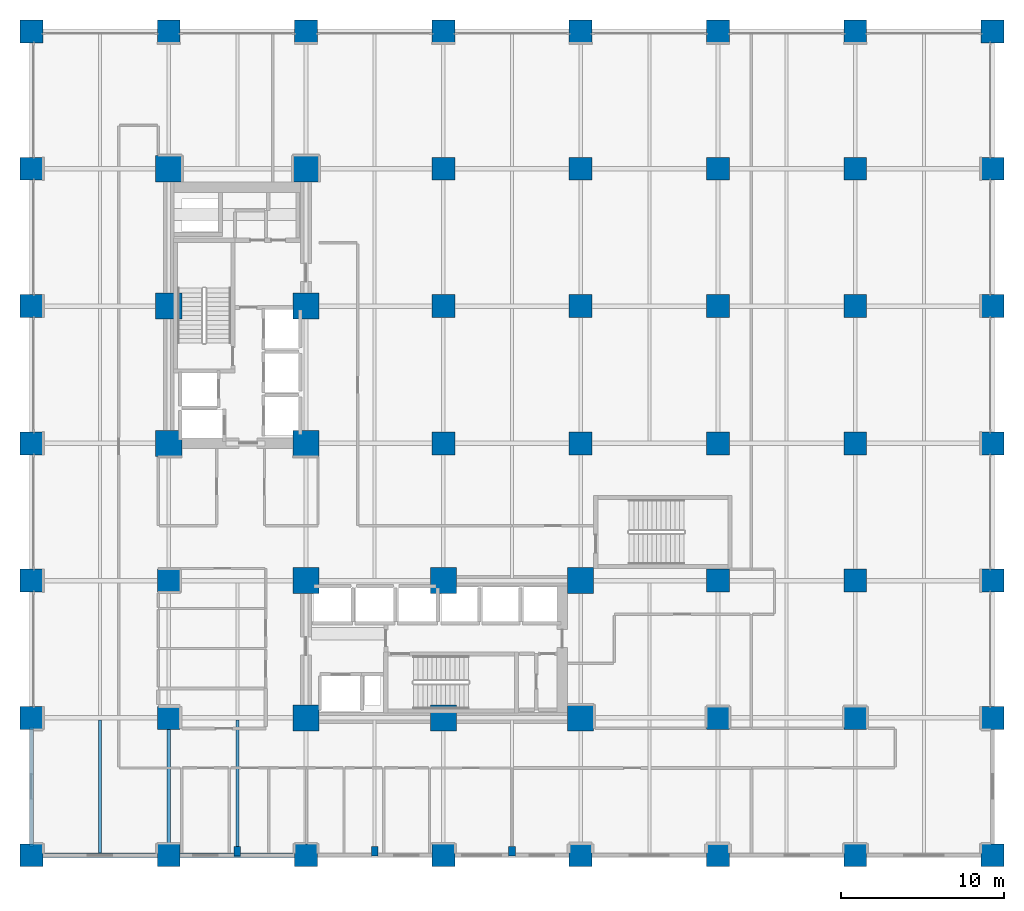
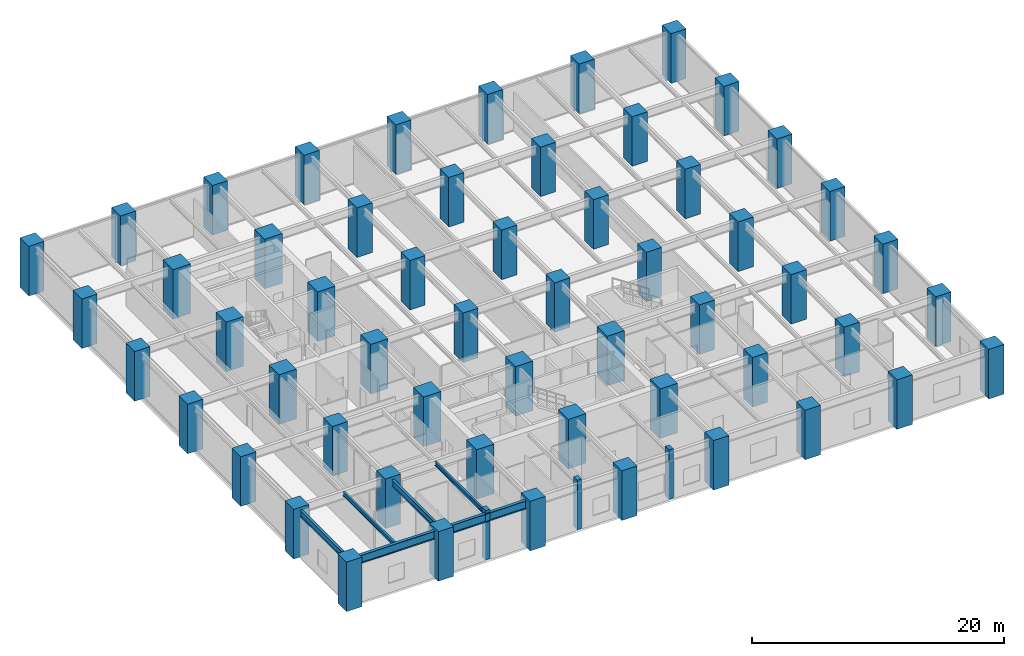
# One storey, part 1 of 24: 59 columns, 6 beams.
"""IFC4 building model written with IfcOpenShell, lengths in metres."""

from ifc_helpers import new_model, si_unit, direction, frame, origin, origin_2d, place, context, subcontext, project, spatial, rectangle, i_section, extrude, material, material_profile, profile_set, type_object, element, save


model = new_model("IFC4")

# Units and contexts
model_context = context("Model", 3, precision=1e-05, world=origin(), true_north=direction((0.0, 1.0)))
body_context = subcontext(model_context, "Body", "Model", "MODEL_VIEW")
ifc_project = project(units=[si_unit("LENGTHUNIT", "METRE"), si_unit("AREAUNIT", "SQUARE_METRE"), si_unit("VOLUMEUNIT", "CUBIC_METRE"), si_unit("PLANEANGLEUNIT", "RADIAN"), si_unit("MASSUNIT", "GRAM", prefix="KILO")], contexts=[model_context])

# Site, building, storey
site_placement = place(None, origin())
site = spatial("IfcSite", under=ifc_project, at=site_placement, CompositionType="ELEMENT")
building_placement = place(site_placement, origin())
building = spatial("IfcBuilding", under=site, at=building_placement, Name="Nerrivon Quay Data Exchange", CompositionType="ELEMENT")
storey_placement = place(building_placement, frame((0.0, 0.0, 10.199951171875)))
storey = spatial("IfcBuildingStorey", under=building, at=storey_placement, Name="L02", CompositionType="ELEMENT", Elevation=10.199951171875)

# Columns
ifc_material_1 = material(Name="Concrete N80 (80 MPa)", Category="concrete")
ifc_material_profile_1 = material_profile(ifc_material_1, rectangle(XDim=1.60009765625, YDim=1.60009765625, at=origin_2d()), Name="RC-COL-1600x1600")
ifc_profile_set_1 = profile_set([ifc_material_profile_1], Name="Concrete N80 (80 MPa)")
column_type_1 = type_object("IfcColumnType", Name="COL-C1-1600", PredefinedType="COLUMN", material=ifc_profile_set_1)
for number, where, z_axis, x_axis, name in (
    (1, (8.39990234375, 25.199951171875, 0.0), (0.0, 0.0, 1.0), (1.0, 0.0, 0.0), "L02 Column (8.4,25.2)"),
    (2, (8.39990234375, 33.60009765625, 0.0), (0.0, 0.0, 1.0), (1.0, 0.0, 0.0), "L02 Column (8.4,33.6)"),
    (3, (8.39990234375, 42.0, 0.0), (0.0, 0.0, 1.0), (1.0, 0.0, 0.0), "L02 Column (8.4,42.0)"),
    (4, (16.800048828125, 8.39990234375, 0.0), (0.0, 0.0, 1.0), (1.0, 0.0, 0.0), "L02 Column (16.8,8.4)"),
    (5, (16.800048828125, 16.800048828125, 0.0), (0.0, 0.0, 1.0), (1.0, 0.0, 0.0), "L02 Column (16.8,16.8)"),
    (6, (16.800048828125, 25.199951171875, 0.0), (0.0, 0.0, 1.0), (1.0, 0.0, 0.0), "L02 Column (16.8,25.2)"),
    (7, (16.800048828125, 33.60009765625, 0.0), (0.0, 0.0, 1.0), (1.0, 0.0, 0.0), "L02 Column (16.8,33.6)"),
    (8, (16.800048828125, 42.0, 0.0), (0.0, 0.0, 1.0), (1.0, 0.0, 0.0), "L02 Column (16.8,42.0)"),
    (9, (25.199951171875, 8.39990234375, 0.0), (0.0, 0.0, 1.0), (1.0, 0.0, 0.0), "L02 Column (25.2,8.4)"),
    (10, (25.199951171875, 16.800048828125, 0.0), (0.0, 0.0, 1.0), (1.0, 0.0, 0.0), "L02 Column (25.2,16.8)"),
    (11, (33.60009765625, 8.39990234375, 0.0), (0.0, 0.0, 1.0), (1.0, 0.0, 0.0), "L02 Column (33.6,8.4)"),
    (12, (33.60009765625, 16.800048828125, 0.0), (0.0, 0.0, 1.0), (1.0, 0.0, 0.0), "L02 Column (33.6,16.8)"),
):
    element("IfcColumn", number, at=place(storey_placement, frame(where, z_axis=z_axis, x_axis=x_axis)), inside=storey, type_object=column_type_1, Name=name, PredefinedType="COLUMN", context=body_context, shape_type="SweptSolid", body=[
        extrude(rectangle(XDim=1.60009765625, YDim=1.60009765625, at=origin_2d()), origin(), (0.0, 0.0, 1.0), 4.800048828125),
    ])
ifc_material_profile_2 = material_profile(ifc_material_1, rectangle(XDim=1.39990234375, YDim=1.39990234375, at=origin_2d()), Name="RC-COL-1400x1400")
ifc_profile_set_2 = profile_set([ifc_material_profile_2], Name="Concrete N80 (80 MPa)")
column_type_2 = type_object("IfcColumnType", Name="COL-C2-1400", PredefinedType="COLUMN", material=ifc_profile_set_2)
for number, where, z_axis, x_axis, name in (
    (13, (0.0, 0.0, 0.0), (0.0, 0.0, 1.0), (1.0, 0.0, 0.0), "L02 Column (0.0,0.0)"),
    (14, (0.0, 8.39990234375, 0.0), (0.0, 0.0, 1.0), (1.0, 0.0, 0.0), "L02 Column (0.0,8.4)"),
    (15, (0.0, 16.800048828125, 0.0), (0.0, 0.0, 1.0), (1.0, 0.0, 0.0), "L02 Column (0.0,16.8)"),
    (16, (0.0, 25.199951171875, 0.0), (0.0, 0.0, 1.0), (1.0, 0.0, 0.0), "L02 Column (0.0,25.2)"),
    (17, (0.0, 33.60009765625, 0.0), (0.0, 0.0, 1.0), (1.0, 0.0, 0.0), "L02 Column (0.0,33.6)"),
    (18, (0.0, 42.0, 0.0), (0.0, 0.0, 1.0), (1.0, 0.0, 0.0), "L02 Column (0.0,42.0)"),
    (19, (0.0, 50.39990234375, 0.0), (0.0, 0.0, 1.0), (1.0, 0.0, 0.0), "L02 Column (0.0,50.4)"),
    (20, (8.39990234375, 0.0, 0.0), (0.0, 0.0, 1.0), (1.0, 0.0, 0.0), "L02 Column (8.4,0.0)"),
    (21, (8.39990234375, 8.39990234375, 0.0), (0.0, 0.0, 1.0), (1.0, 0.0, 0.0), "L02 Column (8.4,8.4)"),
    (22, (8.39990234375, 16.800048828125, 0.0), (0.0, 0.0, 1.0), (1.0, 0.0, 0.0), "L02 Column (8.4,16.8)"),
    (23, (8.39990234375, 50.39990234375, 0.0), (0.0, 0.0, 1.0), (1.0, 0.0, 0.0), "L02 Column (8.4,50.4)"),
    (24, (16.800048828125, 0.0, 0.0), (0.0, 0.0, 1.0), (1.0, 0.0, 0.0), "L02 Column (16.8,0.0)"),
    (25, (16.800048828125, 50.39990234375, 0.0), (0.0, 0.0, 1.0), (1.0, 0.0, 0.0), "L02 Column (16.8,50.4)"),
    (26, (25.199951171875, 0.0, 0.0), (0.0, 0.0, 1.0), (1.0, 0.0, 0.0), "L02 Column (25.2,0.0)"),
    (27, (25.199951171875, 25.199951171875, 0.0), (0.0, 0.0, 1.0), (1.0, 0.0, 0.0), "L02 Column (25.2,25.2)"),
    (28, (25.199951171875, 33.60009765625, 0.0), (0.0, 0.0, 1.0), (1.0, 0.0, 0.0), "L02 Column (25.2,33.6)"),
    (29, (25.199951171875, 42.0, 0.0), (0.0, 0.0, 1.0), (1.0, 0.0, 0.0), "L02 Column (25.2,42.0)"),
    (30, (25.199951171875, 50.39990234375, 0.0), (0.0, 0.0, 1.0), (1.0, 0.0, 0.0), "L02 Column (25.2,50.4)"),
    (31, (33.60009765625, 0.0, 0.0), (0.0, 0.0, 1.0), (1.0, 0.0, 0.0), "L02 Column (33.6,0.0)"),
    (32, (33.60009765625, 25.199951171875, 0.0), (0.0, 0.0, 1.0), (1.0, 0.0, 0.0), "L02 Column (33.6,25.2)"),
    (33, (33.60009765625, 33.60009765625, 0.0), (0.0, 0.0, 1.0), (1.0, 0.0, 0.0), "L02 Column (33.6,33.6)"),
    (34, (33.60009765625, 42.0, 0.0), (0.0, 0.0, 1.0), (1.0, 0.0, 0.0), "L02 Column (33.6,42.0)"),
    (35, (33.60009765625, 50.39990234375, 0.0), (0.0, 0.0, 1.0), (1.0, 0.0, 0.0), "L02 Column (33.6,50.4)"),
    (36, (42.0, 0.0, 0.0), (0.0, 0.0, 1.0), (1.0, 0.0, 0.0), "L02 Column (42.0,0.0)"),
    (37, (42.0, 8.39990234375, 0.0), (0.0, 0.0, 1.0), (1.0, 0.0, 0.0), "L02 Column (42.0,8.4)"),
    (38, (42.0, 16.800048828125, 0.0), (0.0, 0.0, 1.0), (1.0, 0.0, 0.0), "L02 Column (42.0,16.8)"),
    (39, (42.0, 25.199951171875, 0.0), (0.0, 0.0, 1.0), (1.0, 0.0, 0.0), "L02 Column (42.0,25.2)"),
    (40, (42.0, 33.60009765625, 0.0), (0.0, 0.0, 1.0), (1.0, 0.0, 0.0), "L02 Column (42.0,33.6)"),
    (41, (42.0, 42.0, 0.0), (0.0, 0.0, 1.0), (1.0, 0.0, 0.0), "L02 Column (42.0,42.0)"),
    (42, (42.0, 50.39990234375, 0.0), (0.0, 0.0, 1.0), (1.0, 0.0, 0.0), "L02 Column (42.0,50.4)"),
    (43, (50.39990234375, 0.0, 0.0), (0.0, 0.0, 1.0), (1.0, 0.0, 0.0), "L02 Column (50.4,0.0)"),
    (44, (50.39990234375, 8.39990234375, 0.0), (0.0, 0.0, 1.0), (1.0, 0.0, 0.0), "L02 Column (50.4,8.4)"),
    (45, (50.39990234375, 16.800048828125, 0.0), (0.0, 0.0, 1.0), (1.0, 0.0, 0.0), "L02 Column (50.4,16.8)"),
    (46, (50.39990234375, 25.199951171875, 0.0), (0.0, 0.0, 1.0), (1.0, 0.0, 0.0), "L02 Column (50.4,25.2)"),
    (47, (50.39990234375, 33.60009765625, 0.0), (0.0, 0.0, 1.0), (1.0, 0.0, 0.0), "L02 Column (50.4,33.6)"),
    (48, (50.39990234375, 42.0, 0.0), (0.0, 0.0, 1.0), (1.0, 0.0, 0.0), "L02 Column (50.4,42.0)"),
    (49, (50.39990234375, 50.39990234375, 0.0), (0.0, 0.0, 1.0), (1.0, 0.0, 0.0), "L02 Column (50.4,50.4)"),
    (50, (58.800048828125, 0.0, 0.0), (0.0, 0.0, 1.0), (1.0, 0.0, 0.0), "L02 Column (58.8,0.0)"),
    (51, (58.800048828125, 8.39990234375, 0.0), (0.0, 0.0, 1.0), (1.0, 0.0, 0.0), "L02 Column (58.8,8.4)"),
    (52, (58.800048828125, 16.800048828125, 0.0), (0.0, 0.0, 1.0), (1.0, 0.0, 0.0), "L02 Column (58.8,16.8)"),
    (53, (58.800048828125, 25.199951171875, 0.0), (0.0, 0.0, 1.0), (1.0, 0.0, 0.0), "L02 Column (58.8,25.2)"),
    (54, (58.800048828125, 33.60009765625, 0.0), (0.0, 0.0, 1.0), (1.0, 0.0, 0.0), "L02 Column (58.8,33.6)"),
    (55, (58.800048828125, 42.0, 0.0), (0.0, 0.0, 1.0), (1.0, 0.0, 0.0), "L02 Column (58.8,42.0)"),
    (56, (58.800048828125, 50.39990234375, 0.0), (0.0, 0.0, 1.0), (1.0, 0.0, 0.0), "L02 Column (58.8,50.4)"),
):
    element("IfcColumn", number, at=place(storey_placement, frame(where, z_axis=z_axis, x_axis=x_axis)), inside=storey, type_object=column_type_2, Name=name, PredefinedType="COLUMN", context=body_context, shape_type="SweptSolid", body=[
        extrude(rectangle(XDim=1.39990234375, YDim=1.39990234375, at=origin_2d()), origin(), (0.0, 0.0, 1.0), 4.800048828125),
    ])
ifc_material_2 = material(Name="Concrete S65 (65 MPa)", Category="concrete")
ifc_material_profile_3 = material_profile(ifc_material_2, rectangle(XDim=0.39990234375, YDim=0.60009765625, at=origin_2d()), Name="RC-PIL-600x400")
ifc_profile_set_3 = profile_set([ifc_material_profile_3], Name="Concrete S65 (65 MPa)")
column_type_3 = type_object("IfcColumnType", Name="PIL-P1-600x400", PredefinedType="PILASTER", material=ifc_profile_set_3)
for number, where, z_axis, x_axis, name in (
    (57, (12.60009765625, 0.25, 0.0), (0.0, 0.0, 1.0), (1.0, 0.0, 0.0), "L02 Facade Pilaster (12.6)"),
    (58, (21.0, 0.25, 0.0), (0.0, 0.0, 1.0), (1.0, 0.0, 0.0), "L02 Facade Pilaster (21.0)"),
    (59, (29.39990234375, 0.25, 0.0), (0.0, 0.0, 1.0), (1.0, 0.0, 0.0), "L02 Facade Pilaster (29.4)"),
):
    element("IfcColumn", number, at=place(storey_placement, frame(where, z_axis=z_axis, x_axis=x_axis)), inside=storey, type_object=column_type_3, Name=name, PredefinedType="PILASTER", context=body_context, shape_type="SweptSolid", body=[
        extrude(rectangle(XDim=0.39990234375, YDim=0.60009765625, at=origin_2d()), origin(), (0.0, 0.0, 1.0), 4.800048828125),
    ])

# Beams
ifc_material_3 = material(Name="Steel Grade 350", Category="steel")
ifc_material_profile_4 = material_profile(ifc_material_3, i_section(OverallWidth=0.22900390625, OverallDepth=0.612060546875, WebThickness=0.011962890625, FlangeThickness=0.01953125, FilletRadius=0.013916015625, at=origin_2d()), Name="610UB125")
ifc_profile_set_4 = profile_set([ifc_material_profile_4], Name="Steel Grade 350")
beam_type_1 = type_object("IfcBeamType", Name="BM-G1-610UB125", PredefinedType="BEAM", material=ifc_profile_set_4)
for number, where, z_axis, x_axis, name in (
    (60, (0.0, 0.5400390625, 4.218994140625), (0.0, 1.0, 0.0), (-1.0, 0.0, 0.0), "L02 NS Girder X=0.0 (0.0..8.4)"),
    (61, (8.39990234375, 0.5400390625, 4.218994140625), (0.0, 1.0, 0.0), (-1.0, 0.0, 0.0), "L02 NS Girder X=8.4 (0.0..8.4)"),
):
    element("IfcBeam", number, at=place(storey_placement, frame(where, z_axis=z_axis, x_axis=x_axis)), inside=storey, type_object=beam_type_1, Name=name, PredefinedType="BEAM", context=body_context, shape_type="SweptSolid", body=[
        extrude(i_section(OverallWidth=0.22900390625, OverallDepth=0.612060546875, WebThickness=0.011962890625, FlangeThickness=0.01953125, FilletRadius=0.013916015625, at=origin_2d()), origin(), (0.0, 0.0, 1.0), 7.320068359375),
    ])
ifc_material_profile_5 = material_profile(ifc_material_3, i_section(OverallWidth=0.27490234375, OverallDepth=0.800048828125, WebThickness=0.010009765625, FlangeThickness=0.02001953125, at=origin_2d()), Name="800WB146")
ifc_profile_set_5 = profile_set([ifc_material_profile_5], Name="Steel Grade 350")
beam_type_2 = type_object("IfcBeamType", Name="BM-G8-800WB146", PredefinedType="BEAM", material=ifc_profile_set_5)
for number, where, z_axis, x_axis, name in (
    (62, (0.5400390625, 0.0, 4.125), (1.0, 0.0, 0.0), (0.0, 1.0, 0.0), "L02 EW Girder Y=0.0 (0.0..8.4)"),
    (63, (8.93994140625, 0.0, 4.125), (1.0, 0.0, 0.0), (0.0, 1.0, 0.0), "L02 EW Girder Y=0.0 (8.4..16.8)"),
):
    element("IfcBeam", number, at=place(storey_placement, frame(where, z_axis=z_axis, x_axis=x_axis)), inside=storey, type_object=beam_type_2, Name=name, PredefinedType="BEAM", context=body_context, shape_type="SweptSolid", body=[
        extrude(i_section(OverallWidth=0.27490234375, OverallDepth=0.800048828125, WebThickness=0.010009765625, FlangeThickness=0.02001953125, at=origin_2d()), origin(), (0.0, 0.0, 1.0), 7.320068359375),
    ])
ifc_material_profile_6 = material_profile(ifc_material_3, i_section(OverallWidth=0.177978515625, OverallDepth=0.403076171875, WebThickness=0.007568359375, FlangeThickness=0.010986328125, FilletRadius=0.011474609375, at=origin_2d()), Name="410UB53.7")
ifc_profile_set_6 = profile_set([ifc_material_profile_6], Name="Steel Grade 350")
beam_type_3 = type_object("IfcBeamType", Name="BM-J2-410UB54", PredefinedType="JOIST", material=ifc_profile_set_6)
for number, where, z_axis, x_axis, name in (
    (64, (4.199951171875, 0.137451171875, 4.323486328125), (0.0, 1.0, 0.0), (-1.0, 0.0, 0.0), "L02 Secondary Joist X=4.2 (0.0..8.4)"),
    (65, (12.60009765625, 0.137451171875, 4.323486328125), (0.0, 1.0, 0.0), (-1.0, 0.0, 0.0), "L02 Secondary Joist X=12.6 (0.0..8.4)"),
):
    element("IfcBeam", number, at=place(storey_placement, frame(where, z_axis=z_axis, x_axis=x_axis)), inside=storey, type_object=beam_type_3, Name=name, PredefinedType="JOIST", context=body_context, shape_type="SweptSolid", body=[
        extrude(i_section(OverallWidth=0.177978515625, OverallDepth=0.403076171875, WebThickness=0.007568359375, FlangeThickness=0.010986328125, FilletRadius=0.011474609375, at=origin_2d()), origin(), (0.0, 0.0, 1.0), 8.125),
    ])

save(model, "model.ifc")
